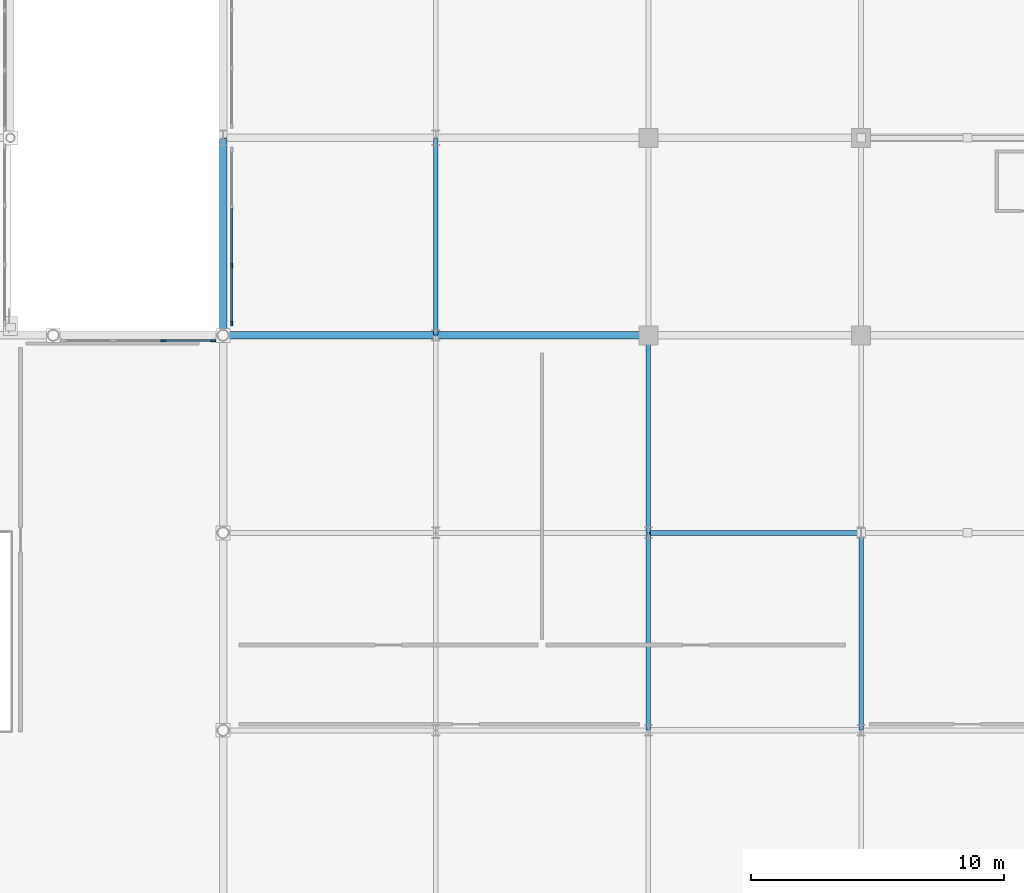
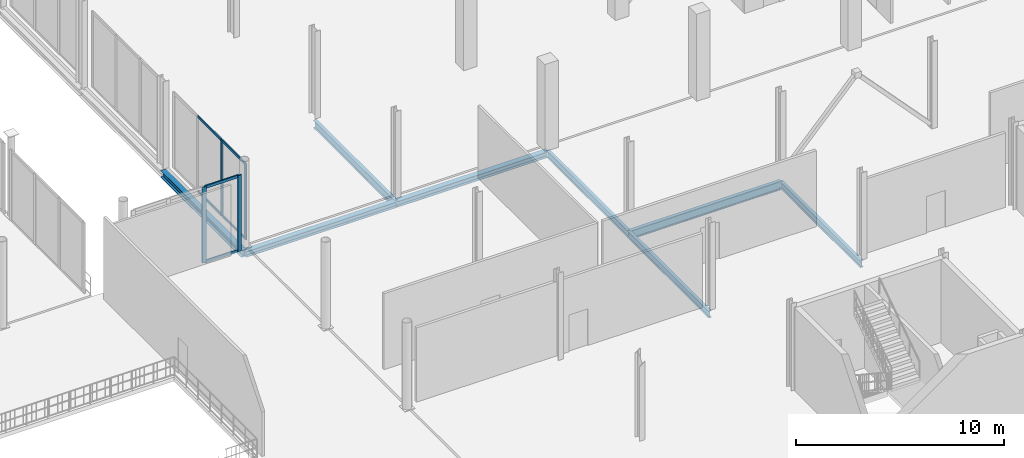
# One storey, part 55 of 105: 10 members, 8 beams, 2 elements without a shape of their own.
"""IFC4 building model written with IfcOpenShell, lengths in metres."""

from ifc_helpers import new_model, si_unit, direction, frame, origin, origin_2d, place, context, subcontext, project, spatial, rectangle, i_section, extrude, material, material_profile, profile_set, type_object, element, aggregate, save


model = new_model("IFC4")

# Units and contexts
model_context = context("Model", 3, precision=1e-05, world=origin(), true_north=direction((0.0, 1.0)))
body_context = subcontext(model_context, "Body", "Model", "MODEL_VIEW")
ifc_project = project(units=[si_unit("LENGTHUNIT", "METRE"), si_unit("AREAUNIT", "SQUARE_METRE"), si_unit("VOLUMEUNIT", "CUBIC_METRE"), si_unit("PLANEANGLEUNIT", "RADIAN"), si_unit("MASSUNIT", "GRAM", prefix="KILO")], contexts=[model_context])

# Site, building, storey
site_placement = place(None, origin())
site = spatial("IfcSite", under=ifc_project, at=site_placement, CompositionType="ELEMENT")
building_placement = place(site_placement, origin())
building = spatial("IfcBuilding", under=site, at=building_placement, Name="Nabrawat Pavilion Hospital", CompositionType="ELEMENT")
storey_placement = place(building_placement, frame((0.0, 0.0, 5.10009765625)))
storey = spatial("IfcBuildingStorey", under=building, at=storey_placement, Name="L01", CompositionType="ELEMENT", Elevation=5.10009765625)

# Curtain wall, members
ifc_material_1 = material(Name="Anodised Aluminium", Category="aluminium")
curtain_wall_type_1 = type_object("IfcCurtainWallType", Name="Healing Garden Cloister Curtain Wall", PredefinedType="USERDEFINED", material=ifc_material_1)
curtain_wall_1_placement = place(storey_placement, origin())
curtain_wall_1 = element("IfcCurtainWall", 1, at=curtain_wall_1_placement, inside=storey, type_object=curtain_wall_type_1, Name="L01 Healing Garden Cloister Curtain Wall 086", ObjectType="CURTAIN WALL", PredefinedType="USERDEFINED")
ifc_material_profile_1 = material_profile(ifc_material_1, rectangle(XDim=0.06494140625, YDim=0.179931640625, at=origin_2d()), Name="CWM 65x180")
ifc_profile_set_1 = profile_set([ifc_material_profile_1], Name="Anodised Aluminium")
member_type_1 = type_object("IfcMemberType", Name="Healing Garden Cloister Curtain Wall Mullion CWM 65x180", PredefinedType="MULLION", material=ifc_profile_set_1)
member_1_placement = place(storey_placement, frame((126.340087890625, 39.472412109375, 0.0), z_axis=(0.0, 0.0, 1.0), x_axis=(-1.0, 0.0, 0.0)))
member_1 = element("IfcMember", 2, at=member_1_placement, type_object=member_type_1, Name="CW-CLN-01 mullion 1", PredefinedType="MULLION", context=body_context, shape_type="SweptSolid", body=[
    extrude(rectangle(XDim=0.06494140625, YDim=0.179931640625, at=origin_2d()), origin(), (0.0, 0.0, 1.0), 4.43994140625),
])
member_2_placement = place(storey_placement, frame((126.340087890625, 41.74658203125, 0.0), z_axis=(0.0, 0.0, 1.0), x_axis=(-1.0, 0.0, 0.0)))
member_2 = element("IfcMember", 3, at=member_2_placement, type_object=member_type_1, Name="CW-CLN-01 mullion 2", PredefinedType="MULLION", context=body_context, shape_type="SweptSolid", body=[
    extrude(rectangle(XDim=0.06494140625, YDim=0.179931640625, at=origin_2d()), origin(), (0.0, 0.0, 1.0), 4.43994140625),
])
ifc_material_profile_2 = material_profile(ifc_material_1, rectangle(XDim=0.06494140625, YDim=0.135009765625, at=origin_2d()), Name="CWT 65x135")
ifc_profile_set_2 = profile_set([ifc_material_profile_2], Name="Anodised Aluminium")
member_type_2 = type_object("IfcMemberType", Name="Healing Garden Cloister Curtain Wall Transom CWT 65x135", PredefinedType="USERDEFINED", material=ifc_profile_set_2)
member_3_placement = place(storey_placement, frame((126.340087890625, 39.5048828125, 0.032470703125), z_axis=(0.0, 1.0, 0.0), x_axis=(-1.0, 0.0, 0.0)))
member_3 = element("IfcMember", 4, at=member_3_placement, type_object=member_type_2, Name="CW-CLN-01 transom 1.1", ObjectType="TRANSOM", PredefinedType="USERDEFINED", context=body_context, shape_type="SweptSolid", body=[
    extrude(rectangle(XDim=0.06494140625, YDim=0.135009765625, at=origin_2d()), origin(), (0.0, 0.0, 1.0), 2.209228515625),
])
member_4_placement = place(storey_placement, frame((126.340087890625, 39.5048828125, 4.407470703125), z_axis=(0.0, 1.0, 0.0), x_axis=(-1.0, 0.0, 0.0)))
member_4 = element("IfcMember", 5, at=member_4_placement, type_object=member_type_2, Name="CW-CLN-01 transom 1.2", ObjectType="TRANSOM", PredefinedType="USERDEFINED", context=body_context, shape_type="SweptSolid", body=[
    extrude(rectangle(XDim=0.06494140625, YDim=0.135009765625, at=origin_2d()), origin(), (0.0, 0.0, 1.0), 2.209228515625),
])
member_5_placement = place(storey_placement, frame((126.340087890625, 41.779052734375, 0.032470703125), z_axis=(0.0, 1.0, 0.0), x_axis=(-1.0, 0.0, 0.0)))
member_5 = element("IfcMember", 6, at=member_5_placement, type_object=member_type_2, Name="CW-CLN-01 transom 2.1", ObjectType="TRANSOM", PredefinedType="USERDEFINED", context=body_context, shape_type="SweptSolid", body=[
    extrude(rectangle(XDim=0.06494140625, YDim=0.135009765625, at=origin_2d()), origin(), (0.0, 0.0, 1.0), 2.24169921875),
])
member_6_placement = place(storey_placement, frame((126.340087890625, 41.779052734375, 4.407470703125), z_axis=(0.0, 1.0, 0.0), x_axis=(-1.0, 0.0, 0.0)))
member_6 = element("IfcMember", 7, at=member_6_placement, type_object=member_type_2, Name="CW-CLN-01 transom 2.2", ObjectType="TRANSOM", PredefinedType="USERDEFINED", context=body_context, shape_type="SweptSolid", body=[
    extrude(rectangle(XDim=0.06494140625, YDim=0.135009765625, at=origin_2d()), origin(), (0.0, 0.0, 1.0), 2.24169921875),
])
aggregate(curtain_wall_1, [member_1, member_2, member_3, member_4, member_5, member_6])

curtain_wall_type_2 = type_object("IfcCurtainWallType", Name="Main Hall Pavilion Unitised Curtain Wall", PredefinedType="USERDEFINED", material=ifc_material_1)
curtain_wall_2_placement = place(storey_placement, origin())
curtain_wall_2 = element("IfcCurtainWall", 8, at=curtain_wall_2_placement, inside=storey, type_object=curtain_wall_type_2, Name="L01 Main Hall Pavilion Unitised Curtain Wall 083", ObjectType="CURTAIN WALL", PredefinedType="USERDEFINED")
ifc_material_profile_3 = material_profile(ifc_material_1, rectangle(XDim=0.074951171875, YDim=0.219970703125, at=origin_2d()), Name="CWM 75x220")
ifc_profile_set_3 = profile_set([ifc_material_profile_3], Name="Anodised Aluminium")
member_type_3 = type_object("IfcMemberType", Name="Main Hall Pavilion Unitised Curtain Wall Mullion CWM 75x220", PredefinedType="MULLION", material=ifc_profile_set_3)
member_7_placement = place(storey_placement, frame((123.64111328125, 38.780029296875, 0.0), z_axis=(0.0, 0.0, 1.0), x_axis=(0.0, 1.0, 0.0)))
member_7 = element("IfcMember", 9, at=member_7_placement, type_object=member_type_3, Name="CW-MH-01 mullion 3", PredefinedType="MULLION", context=body_context, shape_type="SweptSolid", body=[
    extrude(rectangle(XDim=0.074951171875, YDim=0.219970703125, at=origin_2d()), origin(), (0.0, 0.0, 1.0), 4.43994140625),
])
member_8_placement = place(storey_placement, frame((125.593994140625, 38.780029296875, 0.0), z_axis=(0.0, 0.0, 1.0), x_axis=(0.0, 1.0, 0.0)))
member_8 = element("IfcMember", 10, at=member_8_placement, type_object=member_type_3, Name="CW-MH-01 mullion 4", PredefinedType="MULLION", context=body_context, shape_type="SweptSolid", body=[
    extrude(rectangle(XDim=0.074951171875, YDim=0.219970703125, at=origin_2d()), origin(), (0.0, 0.0, 1.0), 4.43994140625),
])
ifc_material_profile_4 = material_profile(ifc_material_1, rectangle(XDim=0.074951171875, YDim=0.1650390625, at=origin_2d()), Name="CWT 75x165")
ifc_profile_set_4 = profile_set([ifc_material_profile_4], Name="Anodised Aluminium")
member_type_4 = type_object("IfcMemberType", Name="Main Hall Pavilion Unitised Curtain Wall Transom CWT 75x165", PredefinedType="USERDEFINED", material=ifc_profile_set_4)
member_9_placement = place(storey_placement, frame((123.6787109375, 38.780029296875, 0.037353515625), z_axis=(1.0, 0.0, 0.0), x_axis=(0.0, 1.0, 0.0)))
member_9 = element("IfcMember", 11, at=member_9_placement, type_object=member_type_4, Name="CW-MH-01 transom 3.1", ObjectType="TRANSOM", PredefinedType="USERDEFINED", context=body_context, shape_type="SweptSolid", body=[
    extrude(rectangle(XDim=0.074951171875, YDim=0.1650390625, at=origin_2d()), origin(), (0.0, 0.0, 1.0), 1.877685546875),
])
member_10_placement = place(storey_placement, frame((123.6787109375, 38.780029296875, 4.40234375), z_axis=(1.0, 0.0, 0.0), x_axis=(0.0, 1.0, 0.0)))
member_10 = element("IfcMember", 12, at=member_10_placement, type_object=member_type_4, Name="CW-MH-01 transom 3.2", ObjectType="TRANSOM", PredefinedType="USERDEFINED", context=body_context, shape_type="SweptSolid", body=[
    extrude(rectangle(XDim=0.074951171875, YDim=0.1650390625, at=origin_2d()), origin(), (0.0, 0.0, 1.0), 1.877685546875),
])
aggregate(curtain_wall_2, [member_7, member_8, member_9, member_10])

# Beams
ifc_material_2 = material(Name="Steel S355", Category="steel")
ifc_material_profile_5 = material_profile(ifc_material_2, i_section(OverallWidth=0.300048828125, OverallDepth=0.389892578125, WebThickness=0.010986328125, FlangeThickness=0.01904296875, FilletRadius=0.027099609375, at=origin_2d()), Name="HEA 400")
ifc_profile_set_5 = profile_set([ifc_material_profile_5], Name="Steel S355")
beam_type_1 = type_object("IfcBeamType", Name="Perimeter Moment Spandrel Beam HEA 400", PredefinedType="SPANDREL", material=ifc_profile_set_5)
beam_1_placement = place(storey_placement, frame((126.0, 39.02001953125, -0.445068359375), z_axis=(0.0, 1.0, 0.0), x_axis=(-1.0, 0.0, 0.0)))
element("IfcBeam", 13, at=beam_1_placement, inside=storey, type_object=beam_type_1, Name="L01 Primary Y Beam 803", PredefinedType="SPANDREL", context=body_context, shape_type="SweptSolid", body=[
    extrude(i_section(OverallWidth=0.300048828125, OverallDepth=0.389892578125, WebThickness=0.010986328125, FlangeThickness=0.01904296875, FilletRadius=0.027099609375, at=origin_2d()), origin(), (0.0, 0.0, 1.0), 7.760009765625),
])
ifc_material_profile_6 = material_profile(ifc_material_2, i_section(OverallWidth=0.18994140625, OverallDepth=0.449951171875, WebThickness=0.009521484375, FlangeThickness=0.0146484375, FilletRadius=0.02099609375, at=origin_2d()), Name="IPE 450")
ifc_profile_set_6 = profile_set([ifc_material_profile_6], Name="Steel S355")
beam_type_2 = type_object("IfcBeamType", Name="Primary Y Floor Beam IPE 450", PredefinedType="BEAM", material=ifc_profile_set_6)
beam_2_placement = place(storey_placement, frame((134.39990234375, 39.02001953125, -0.47509765625), z_axis=(0.0, 1.0, 0.0), x_axis=(-1.0, 0.0, 0.0)))
element("IfcBeam", 14, at=beam_2_placement, inside=storey, type_object=beam_type_2, Name="L01 Primary Y Beam 819", PredefinedType="BEAM", context=body_context, shape_type="SweptSolid", body=[
    extrude(i_section(OverallWidth=0.18994140625, OverallDepth=0.449951171875, WebThickness=0.009521484375, FlangeThickness=0.0146484375, FilletRadius=0.02099609375, at=origin_2d()), origin(), (0.0, 0.0, 1.0), 7.760009765625),
])
ifc_material_profile_7 = material_profile(ifc_material_2, i_section(OverallWidth=0.199951171875, OverallDepth=0.5, WebThickness=0.01025390625, FlangeThickness=0.01611328125, FilletRadius=0.02099609375, at=origin_2d()), Name="IPE 500")
ifc_profile_set_7 = profile_set([ifc_material_profile_7], Name="Steel S355")
beam_type_3 = type_object("IfcBeamType", Name="Standard X Floor Girder IPE 500", PredefinedType="USERDEFINED", material=ifc_profile_set_7)
beam_3_placement = place(storey_placement, frame((142.820068359375, 31.199951171875, -0.47998046875), z_axis=(1.0, 0.0, 0.0), x_axis=(0.0, 1.0, 0.0)))
element("IfcBeam", 15, at=beam_3_placement, inside=storey, type_object=beam_type_3, Name="L01 Primary X Girder 507", ObjectType="GIRDER", PredefinedType="USERDEFINED", context=body_context, shape_type="SweptSolid", body=[
    extrude(i_section(OverallWidth=0.199951171875, OverallDepth=0.5, WebThickness=0.01025390625, FlangeThickness=0.01611328125, FilletRadius=0.02099609375, at=origin_2d()), origin(), (0.0, 0.0, 1.0), 8.35986328125),
])
ifc_material_profile_8 = material_profile(ifc_material_2, i_section(OverallWidth=0.179931640625, OverallDepth=0.39990234375, WebThickness=0.008544921875, FlangeThickness=0.013427734375, FilletRadius=0.02099609375, at=origin_2d()), Name="IPE 400")
ifc_profile_set_8 = profile_set([ifc_material_profile_8], Name="Steel S355")
beam_type_4 = type_object("IfcBeamType", Name="Standard Y Floor Beam IPE 400", PredefinedType="BEAM", material=ifc_profile_set_8)
for number, where, z_axis, x_axis, name in (
    (16, (142.800048828125, 23.419921875, -0.43017578125), (0.0, 1.0, 0.0), (-1.0, 0.0, 0.0), "L01 Primary Y Beam 833"),
    (17, (142.800048828125, 31.219970703125, -0.43017578125), (0.0, 1.0, 0.0), (-1.0, 0.0, 0.0), "L01 Primary Y Beam 834"),
    (18, (151.199951171875, 23.419921875, -0.43017578125), (0.0, 1.0, 0.0), (-1.0, 0.0, 0.0), "L01 Primary Y Beam 849"),
):
    element("IfcBeam", number, at=place(storey_placement, frame(where, z_axis=z_axis, x_axis=x_axis)), inside=storey, type_object=beam_type_4, Name=name, PredefinedType="BEAM", context=body_context, shape_type="SweptSolid", body=[
        extrude(i_section(OverallWidth=0.179931640625, OverallDepth=0.39990234375, WebThickness=0.008544921875, FlangeThickness=0.013427734375, FilletRadius=0.02099609375, at=origin_2d()), origin(), (0.0, 0.0, 1.0), 7.760009765625),
    ])
ifc_material_profile_9 = material_profile(ifc_material_2, i_section(OverallWidth=0.300048828125, OverallDepth=0.340087890625, WebThickness=0.011962890625, FlangeThickness=0.021484375, FilletRadius=0.027099609375, at=origin_2d()), Name="HEB 340")
ifc_profile_set_9 = profile_set([ifc_material_profile_9], Name="Steel S355")
beam_type_5 = type_object("IfcBeamType", Name="Ward Perimeter Spandrel Beam HEB 340", PredefinedType="SPANDREL", material=ifc_profile_set_9)
beam_4_placement = place(storey_placement, frame((126.02001953125, 39.0, -0.420166015625), z_axis=(1.0, 0.0, 0.0), x_axis=(0.0, 1.0, 0.0)))
element("IfcBeam", 19, at=beam_4_placement, inside=storey, type_object=beam_type_5, Name="L01 Primary X Girder 528", PredefinedType="SPANDREL", context=body_context, shape_type="SweptSolid", body=[
    extrude(i_section(OverallWidth=0.300048828125, OverallDepth=0.340087890625, WebThickness=0.011962890625, FlangeThickness=0.021484375, FilletRadius=0.027099609375, at=origin_2d()), origin(), (0.0, 0.0, 1.0), 8.35986328125),
])
beam_5_placement = place(storey_placement, frame((134.419921875, 39.0, -0.420166015625), z_axis=(1.0, 0.0, 0.0), x_axis=(0.0, 1.0, 0.0)))
element("IfcBeam", 20, at=beam_5_placement, inside=storey, type_object=beam_type_5, Name="L01 Primary X Girder 529", PredefinedType="SPANDREL", context=body_context, shape_type="SweptSolid", body=[
    extrude(i_section(OverallWidth=0.300048828125, OverallDepth=0.340087890625, WebThickness=0.011962890625, FlangeThickness=0.021484375, FilletRadius=0.027099609375, at=origin_2d()), origin(), (0.0, 0.0, 1.0), 8.360107421875),
])

save(model, "model.ifc")
